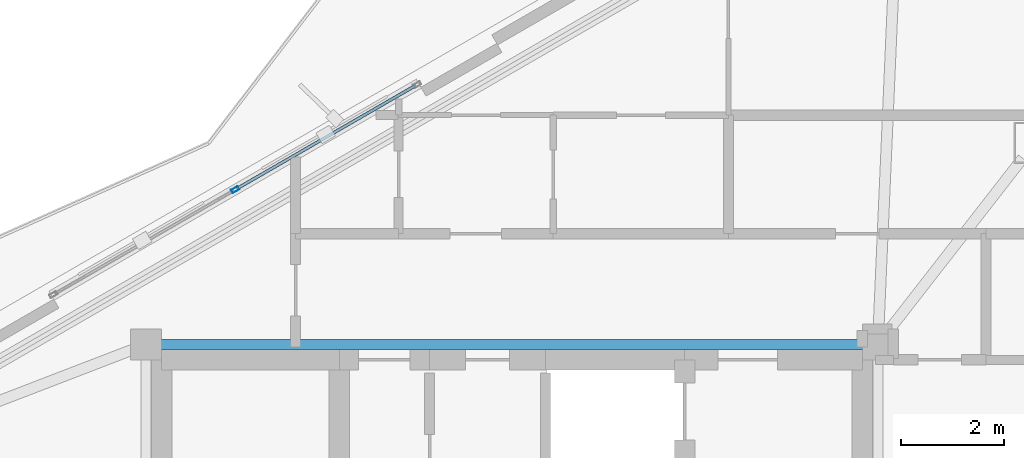
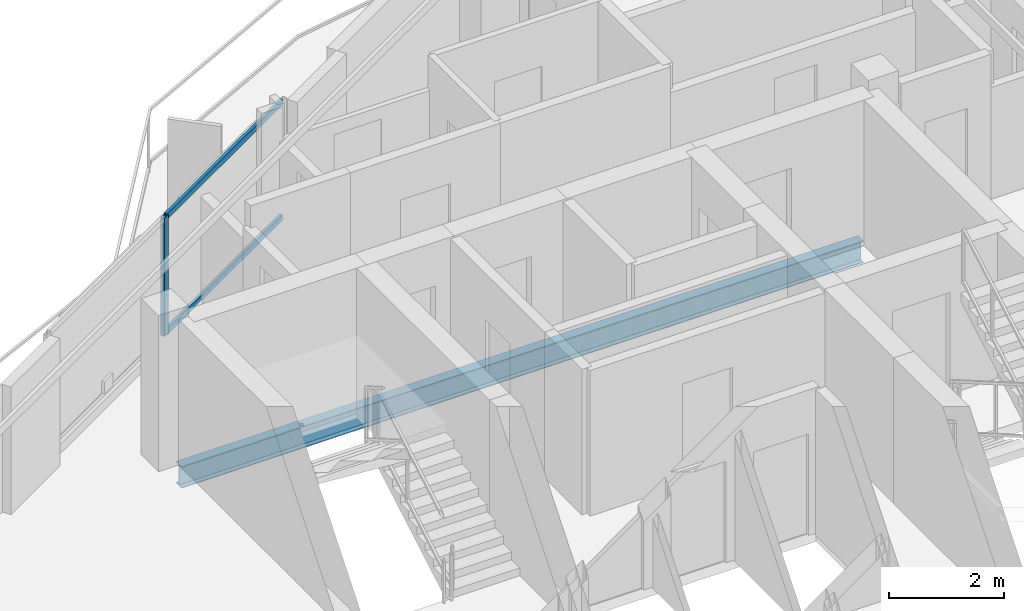
# One storey, part 10 of 18: 3 members, 1 beam, 1 element without a shape of its own.
"""IFC4 building model written with IfcOpenShell, lengths in metres."""

from ifc_helpers import new_model, si_unit, direction, frame, origin, origin_2d, place, context, subcontext, project, spatial, hollow_rectangle, i_section, extrude, material, layer, layer_set, material_profile, profile_set, type_object, element, aggregate, save


model = new_model("IFC4")

# Units and contexts
model_context = context("Model", 3, precision=1e-05, world=origin(), true_north=direction((0.0, 1.0)))
body_context = subcontext(model_context, "Body", "Model", "MODEL_VIEW")
ifc_project = project(units=[si_unit("LENGTHUNIT", "METRE"), si_unit("AREAUNIT", "SQUARE_METRE"), si_unit("VOLUMEUNIT", "CUBIC_METRE"), si_unit("PLANEANGLEUNIT", "RADIAN"), si_unit("MASSUNIT", "GRAM", prefix="KILO")], contexts=[model_context])

# Site, building, storey
site_placement = place(None, origin())
site = spatial("IfcSite", under=ifc_project, at=site_placement, CompositionType="ELEMENT")
building_placement = place(site_placement, origin())
building = spatial("IfcBuilding", under=site, at=building_placement, Name="Mersakhor Tower and Convention Hall", CompositionType="ELEMENT")
storey_placement = place(building_placement, frame((0.0, 0.0, 229.800048828125)))
storey = spatial("IfcBuildingStorey", under=building, at=storey_placement, Name="L64", CompositionType="ELEMENT", Elevation=229.800048828125)

# Beam
ifc_material_1 = material(Name="Steel S355", Category="steel")
ifc_material_profile_1 = material_profile(ifc_material_1, i_section(OverallWidth=0.19140625, OverallDepth=0.4599609375, WebThickness=0.010009765625, FlangeThickness=0.01611328125, at=origin_2d()), Name="UB 457x191x82")
ifc_profile_set_1 = profile_set([ifc_material_profile_1], Name="Steel S355")
beam_type = type_object("IfcBeamType", Name="BM-FB-457", PredefinedType="BEAM", material=ifc_profile_set_1)
beam_placement = place(storey_placement, frame((22.179931640625, 33.050048828125, -0.449951171875), z_axis=(1.0, 0.0, 0.0), x_axis=(0.0, 1.0, 0.0)))
element("IfcBeam", 1, at=beam_placement, inside=storey, type_object=beam_type, Name="L64 Core Ring Tie Beam CRB-2", PredefinedType="BEAM", context=body_context, shape_type="SweptSolid", body=[
    extrude(i_section(OverallWidth=0.19140625, OverallDepth=0.4599609375, WebThickness=0.010009765625, FlangeThickness=0.01611328125, at=origin_2d()), origin(), (0.0, 0.0, 1.0), 13.64013671875),
])

# Curtain wall, members
ifc_material_2 = material(Name="Dark solar low-E aluminium curtain wall", Category="aluminium")
ifc_layer = layer(ifc_material_2, 0.179931640625)
ifc_layer_set = layer_set([ifc_layer], Name="Dark solar low-E aluminium curtain wall")
curtain_wall_type = type_object("IfcCurtainWallType", Name="CW-SYS-03", PredefinedType="USERDEFINED", material=ifc_layer_set)
curtain_wall_placement = place(storey_placement, origin())
curtain_wall = element("IfcCurtainWall", 2, at=curtain_wall_placement, inside=storey, type_object=curtain_wall_type, Name="L64 Dark-Glass Curtain Wall F1-B2", ObjectType="CURTAIN WALL", PredefinedType="USERDEFINED")
ifc_material_3 = material(Name="Anodised aluminium EN AW-6063 T6", Category="aluminium")
ifc_material_profile_2 = material_profile(ifc_material_3, hollow_rectangle(XDim=0.074951171875, YDim=0.14990234375, WallThickness=0.00634765625, at=origin_2d()), Name="RHS 150x75x6.3")
ifc_profile_set_2 = profile_set([ifc_material_profile_2], Name="Anodised aluminium EN AW-6063 T6")
member_type_1 = type_object("IfcMemberType", Name="CWM-150x75", PredefinedType="MULLION", material=ifc_profile_set_2)
member_1_placement = place(storey_placement, frame((23.628662109375, 36.053466796875, 0.199951171875), z_axis=(0.0, 0.0, 1.0), x_axis=(-0.500004411169, 0.86602285698, 0.0)))
member_1 = element("IfcMember", 3, at=member_1_placement, type_object=member_type_1, Name="CW-03 mullion 2", PredefinedType="MULLION", context=body_context, shape_type="SweptSolid", body=[
    extrude(hollow_rectangle(XDim=0.074951171875, YDim=0.14990234375, WallThickness=0.00634765625, at=origin_2d()), origin(), (0.0, 0.0, 1.0), 2.5),
])
ifc_material_4 = material(Name="Anodised aluminium EN AW-6063 T6", Category="aluminium")
ifc_material_profile_3 = material_profile(ifc_material_4, hollow_rectangle(XDim=0.06005859375, YDim=0.1201171875, WallThickness=0.0048828125, at=origin_2d()), Name="RHS 120x60x5")
ifc_profile_set_3 = profile_set([ifc_material_profile_3], Name="Anodised aluminium EN AW-6063 T6")
member_type_2 = type_object("IfcMemberType", Name="CWT-120x60", PredefinedType="USERDEFINED", material=ifc_profile_set_3)
member_2_placement = place(storey_placement, frame((23.6611328125, 36.072265625, 0.22998046875), z_axis=(0.866023018642, 0.500004131166, 0.0), x_axis=(-0.500004131166, 0.866023018642, 0.0)))
member_2 = element("IfcMember", 4, at=member_2_placement, type_object=member_type_2, Name="CW-03 transom 2.1", ObjectType="TRANSOM", PredefinedType="USERDEFINED", context=body_context, shape_type="SweptSolid", body=[
    extrude(hollow_rectangle(XDim=0.06005859375, YDim=0.1201171875, WallThickness=0.0048828125, at=origin_2d()), origin(), (0.0, 0.0, 1.0), 4.00146484375),
])
member_3_placement = place(storey_placement, frame((23.6611328125, 36.072265625, 2.669921875), z_axis=(0.866023018642, 0.500004131166, 0.0), x_axis=(-0.500004131166, 0.866023018642, 0.0)))
member_3 = element("IfcMember", 5, at=member_3_placement, type_object=member_type_2, Name="CW-03 transom 2.2", ObjectType="TRANSOM", PredefinedType="USERDEFINED", context=body_context, shape_type="SweptSolid", body=[
    extrude(hollow_rectangle(XDim=0.06005859375, YDim=0.1201171875, WallThickness=0.0048828125, at=origin_2d()), origin(), (0.0, 0.0, 1.0), 4.00146484375),
])
aggregate(curtain_wall, [member_1, member_2, member_3])

save(model, "model.ifc")
